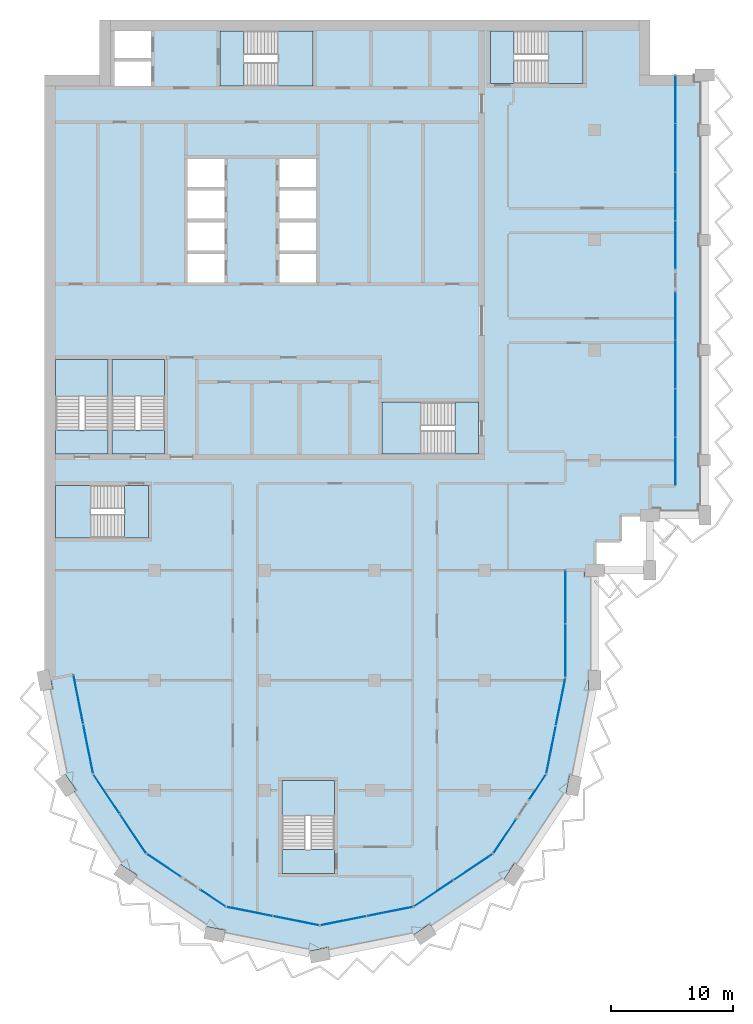
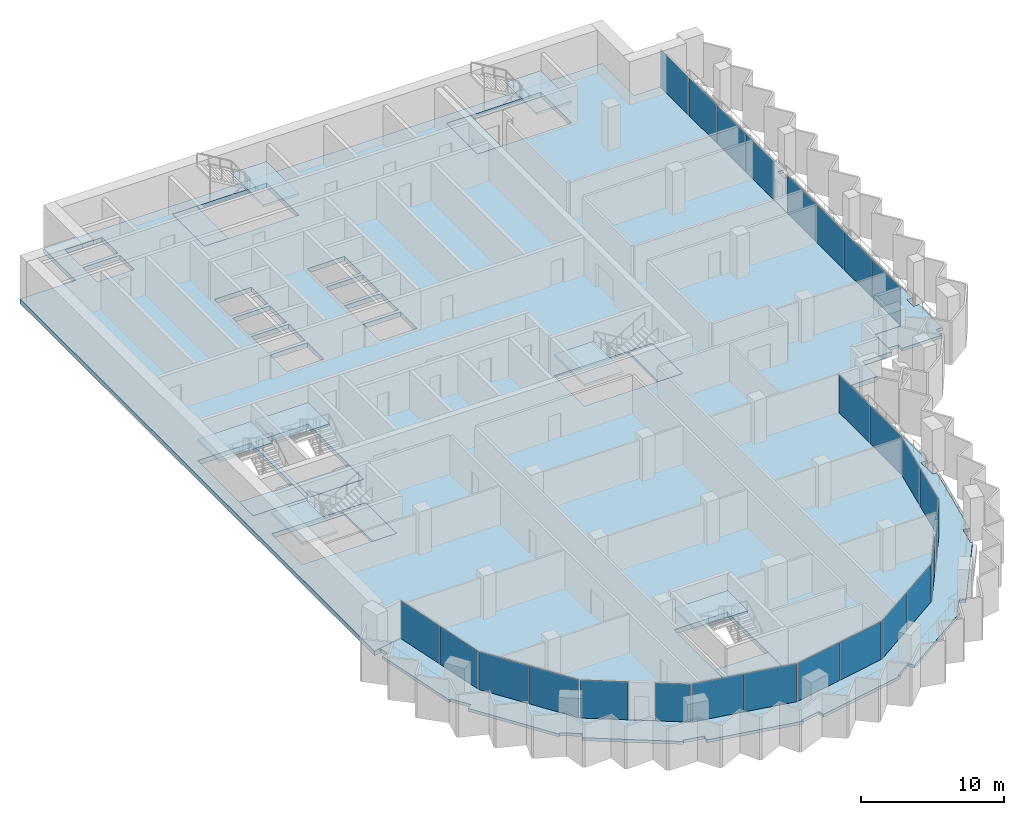
# One storey, part 6 of 16: 26 plates, 17 slabs, 20 elements without a shape of their own.
"""IFC4 building model written with IfcOpenShell, lengths in metres."""

from ifc_helpers import new_model, si_unit, direction, frame, origin, origin_2d, place, context, subcontext, project, spatial, polyline, rectangle, outline, extrude, material, layer, layer_set, type_object, element, aggregate, save


model = new_model("IFC4")

# Units and contexts
model_context = context("Model", 3, precision=1e-05, world=origin(), true_north=direction((0.0, 1.0)))
body_context = subcontext(model_context, "Body", "Model", "MODEL_VIEW")
ifc_project = project(units=[si_unit("LENGTHUNIT", "METRE"), si_unit("AREAUNIT", "SQUARE_METRE"), si_unit("VOLUMEUNIT", "CUBIC_METRE"), si_unit("PLANEANGLEUNIT", "RADIAN"), si_unit("MASSUNIT", "GRAM", prefix="KILO")], contexts=[model_context])

# Site, building, storey
site_placement = place(None, origin())
site = spatial("IfcSite", under=ifc_project, at=site_placement, CompositionType="ELEMENT")
building_placement = place(site_placement, origin())
building = spatial("IfcBuilding", under=site, at=building_placement, Name="Hunhe Ridgeline Campus", CompositionType="ELEMENT")
storey_placement = place(building_placement, frame((0.0, 0.0, 246.60009765625)))
storey = spatial("IfcBuildingStorey", under=building, at=storey_placement, Name="L63", CompositionType="ELEMENT", Elevation=246.60009765625)

# Curtain wall, plates
ifc_material_1 = material(Name="Aluminium 6063", Category="aluminium")
curtain_wall_type_1 = type_object("IfcCurtainWallType", Name="Curtain wall CW-5", PredefinedType="NOTDEFINED", material=ifc_material_1)
curtain_wall_1_placement = place(storey_placement, origin())
curtain_wall_1 = element("IfcCurtainWall", 1, at=curtain_wall_1_placement, inside=storey, type_object=curtain_wall_type_1, Name="Curtain wall 01", PredefinedType="NOTDEFINED")
ifc_material_2 = material(Name="Low-e laminated glass", Category="glass")
ifc_layer_1 = layer(ifc_material_2, 0.028076171875)
ifc_layer_set_1 = layer_set([ifc_layer_1], Name="Curtain wall glass panel 28 low-e laminated")
plate_type = type_object("IfcPlateType", Name="Curtain wall glass panel 28 low-e laminated", PredefinedType="CURTAIN_PANEL", material=ifc_layer_set_1)
plate_1_placement = place(storey_placement, frame((2.76318359375, 43.416015625, 0.0), z_axis=(0.0, 0.0, 1.0), x_axis=(0.195095347137, -0.980784280831, 0.0)))
plate_1 = element("IfcPlate", 2, at=plate_1_placement, type_object=plate_type, Name="CW-5 panel 1", PredefinedType="CURTAIN_PANEL", context=body_context, shape_type="SweptSolid", body=[
    extrude(rectangle(XDim=4.0458984375, YDim=0.028076171875, at=origin_2d()), origin(), (0.0, 0.0, 1.0), 3.22998046875),
])
plate_2_placement = place(storey_placement, frame((3.566162109375, 39.379150390625, 0.0), z_axis=(0.0, 0.0, 1.0), x_axis=(0.195095347137, -0.980784280831, 0.0)))
plate_2 = element("IfcPlate", 3, at=plate_2_placement, type_object=plate_type, Name="CW-5 panel 2", PredefinedType="CURTAIN_PANEL", context=body_context, shape_type="SweptSolid", body=[
    extrude(rectangle(XDim=4.0458984375, YDim=0.028076171875, at=origin_2d()), origin(), (0.0, 0.0, 1.0), 3.22998046875),
])
aggregate(curtain_wall_1, [plate_1, plate_2])

curtain_wall_2_placement = place(storey_placement, origin())
curtain_wall_2 = element("IfcCurtainWall", 4, at=curtain_wall_2_placement, inside=storey, type_object=curtain_wall_type_1, Name="Curtain wall 02", PredefinedType="NOTDEFINED")
plate_3_placement = place(storey_placement, frame((5.07080078125, 35.685546875, 0.0), z_axis=(0.0, 0.0, 1.0), x_axis=(0.555570274596, -0.831469584522, 0.0)))
plate_3 = element("IfcPlate", 5, at=plate_3_placement, type_object=plate_type, Name="CW-5 panel 1", PredefinedType="CURTAIN_PANEL", context=body_context, shape_type="SweptSolid", body=[
    extrude(rectangle(XDim=3.806884765625, YDim=0.028076171875, at=origin_2d()), origin(), (0.0, 0.0, 1.0), 3.22998046875),
])
plate_4_placement = place(storey_placement, frame((7.224609375, 32.4619140625, 0.0), z_axis=(0.0, 0.0, 1.0), x_axis=(0.555570274596, -0.831469584522, 0.0)))
plate_4 = element("IfcPlate", 6, at=plate_4_placement, type_object=plate_type, Name="CW-5 panel 2", PredefinedType="CURTAIN_PANEL", context=body_context, shape_type="SweptSolid", body=[
    extrude(rectangle(XDim=3.806884765625, YDim=0.028076171875, at=origin_2d()), origin(), (0.0, 0.0, 1.0), 3.22998046875),
])
aggregate(curtain_wall_2, [plate_3, plate_4])

# Curtain wall, plate
curtain_wall_3_placement = place(storey_placement, origin())
curtain_wall_3 = element("IfcCurtainWall", 7, at=curtain_wall_3_placement, inside=storey, type_object=curtain_wall_type_1, Name="Curtain wall 03", PredefinedType="NOTDEFINED")
plate_5_placement = place(storey_placement, frame((9.76025390625, 29.859375, 0.0), z_axis=(0.0, 0.0, 1.0), x_axis=(0.831469595944, -0.555570257501, 0.0)))
plate_5 = element("IfcPlate", 8, at=plate_5_placement, type_object=plate_type, Name="CW-5 panel 1", PredefinedType="CURTAIN_PANEL", context=body_context, shape_type="SweptSolid", body=[
    extrude(rectangle(XDim=3.322021484375, YDim=0.028076171875, at=origin_2d()), origin(), (0.0, 0.0, 1.0), 3.22998046875),
])
aggregate(curtain_wall_3, [plate_5])

curtain_wall_4_placement = place(storey_placement, origin())
curtain_wall_4 = element("IfcCurtainWall", 9, at=curtain_wall_4_placement, inside=storey, type_object=curtain_wall_type_1, Name="Curtain wall 04", PredefinedType="NOTDEFINED")
plate_6_placement = place(storey_placement, frame((13.761474609375, 27.18603515625, 0.0), z_axis=(0.0, 0.0, 1.0), x_axis=(0.831469510353, -0.555570385598, 0.0)))
plate_6 = element("IfcPlate", 10, at=plate_6_placement, type_object=plate_type, Name="CW-5 panel 1", PredefinedType="CURTAIN_PANEL", context=body_context, shape_type="SweptSolid", body=[
    extrude(rectangle(XDim=2.421875, YDim=0.028076171875, at=origin_2d()), origin(), (0.0, 0.0, 1.0), 3.22998046875),
])
aggregate(curtain_wall_4, [plate_6])

# Curtain wall, plates
curtain_wall_5_placement = place(storey_placement, origin())
curtain_wall_5 = element("IfcCurtainWall", 11, at=curtain_wall_5_placement, inside=storey, type_object=curtain_wall_type_1, Name="Curtain wall 05", PredefinedType="NOTDEFINED")
plate_7_placement = place(storey_placement, frame((16.761962890625, 26.08935546875, 0.0), z_axis=(0.0, 0.0, 1.0), x_axis=(0.980785275326, -0.195090347539, 0.0)))
plate_7 = element("IfcPlate", 12, at=plate_7_placement, type_object=plate_type, Name="CW-5 panel 1", PredefinedType="CURTAIN_PANEL", context=body_context, shape_type="SweptSolid", body=[
    extrude(rectangle(XDim=3.806884765625, YDim=0.028076171875, at=origin_2d()), origin(), (0.0, 0.0, 1.0), 3.22998046875),
])
plate_8_placement = place(storey_placement, frame((20.564453125, 25.3330078125, 0.0), z_axis=(0.0, 0.0, 1.0), x_axis=(0.980785275326, -0.195090347539, 0.0)))
plate_8 = element("IfcPlate", 13, at=plate_8_placement, type_object=plate_type, Name="CW-5 panel 2", PredefinedType="CURTAIN_PANEL", context=body_context, shape_type="SweptSolid", body=[
    extrude(rectangle(XDim=3.806884765625, YDim=0.028076171875, at=origin_2d()), origin(), (0.0, 0.0, 1.0), 3.22998046875),
])
aggregate(curtain_wall_5, [plate_7, plate_8])

curtain_wall_6_placement = place(storey_placement, origin())
curtain_wall_6 = element("IfcCurtainWall", 14, at=curtain_wall_6_placement, inside=storey, type_object=curtain_wall_type_1, Name="Curtain wall 06", PredefinedType="NOTDEFINED")
plate_9_placement = place(storey_placement, frame((24.435546875, 25.3330078125, 0.0), z_axis=(0.0, 0.0, 1.0), x_axis=(0.980785275326, 0.195090347539, 0.0)))
plate_9 = element("IfcPlate", 15, at=plate_9_placement, type_object=plate_type, Name="CW-5 panel 1", PredefinedType="CURTAIN_PANEL", context=body_context, shape_type="SweptSolid", body=[
    extrude(rectangle(XDim=3.806884765625, YDim=0.028076171875, at=origin_2d()), origin(), (0.0, 0.0, 1.0), 3.22998046875),
])
plate_10_placement = place(storey_placement, frame((28.238037109375, 26.08935546875, 0.0), z_axis=(0.0, 0.0, 1.0), x_axis=(0.980785275326, 0.195090347539, 0.0)))
plate_10 = element("IfcPlate", 16, at=plate_10_placement, type_object=plate_type, Name="CW-5 panel 2", PredefinedType="CURTAIN_PANEL", context=body_context, shape_type="SweptSolid", body=[
    extrude(rectangle(XDim=3.806884765625, YDim=0.028076171875, at=origin_2d()), origin(), (0.0, 0.0, 1.0), 3.22998046875),
])
aggregate(curtain_wall_6, [plate_9, plate_10])

curtain_wall_7_placement = place(storey_placement, origin())
curtain_wall_7 = element("IfcCurtainWall", 17, at=curtain_wall_7_placement, inside=storey, type_object=curtain_wall_type_1, Name="Curtain wall 07", PredefinedType="NOTDEFINED")
plate_11_placement = place(storey_placement, frame((31.814453125, 27.57080078125, 0.0), z_axis=(0.0, 0.0, 1.0), x_axis=(0.831469584522, 0.555570274596, 0.0)))
plate_11 = element("IfcPlate", 18, at=plate_11_placement, type_object=plate_type, Name="CW-5 panel 1", PredefinedType="CURTAIN_PANEL", context=body_context, shape_type="SweptSolid", body=[
    extrude(rectangle(XDim=3.806884765625, YDim=0.028076171875, at=origin_2d()), origin(), (0.0, 0.0, 1.0), 3.22998046875),
])
plate_12_placement = place(storey_placement, frame((35.0380859375, 29.724609375, 0.0), z_axis=(0.0, 0.0, 1.0), x_axis=(0.831469584522, 0.555570274596, 0.0)))
plate_12 = element("IfcPlate", 19, at=plate_12_placement, type_object=plate_type, Name="CW-5 panel 2", PredefinedType="CURTAIN_PANEL", context=body_context, shape_type="SweptSolid", body=[
    extrude(rectangle(XDim=3.806884765625, YDim=0.028076171875, at=origin_2d()), origin(), (0.0, 0.0, 1.0), 3.22998046875),
])
aggregate(curtain_wall_7, [plate_11, plate_12])

# Curtain wall, plate
curtain_wall_8_placement = place(storey_placement, origin())
curtain_wall_8 = element("IfcCurtainWall", 20, at=curtain_wall_8_placement, inside=storey, type_object=curtain_wall_type_1, Name="Curtain wall 08", PredefinedType="NOTDEFINED")
plate_13_placement = place(storey_placement, frame((37.640625, 32.26025390625, 0.0), z_axis=(0.0, 0.0, 1.0), x_axis=(0.555570257501, 0.831469595944, 0.0)))
plate_13 = element("IfcPlate", 21, at=plate_13_placement, type_object=plate_type, Name="CW-5 panel 1", PredefinedType="CURTAIN_PANEL", context=body_context, shape_type="SweptSolid", body=[
    extrude(rectangle(XDim=3.322021484375, YDim=0.028076171875, at=origin_2d()), origin(), (0.0, 0.0, 1.0), 3.22998046875),
])
aggregate(curtain_wall_8, [plate_13])

curtain_wall_9_placement = place(storey_placement, origin())
curtain_wall_9 = element("IfcCurtainWall", 22, at=curtain_wall_9_placement, inside=storey, type_object=curtain_wall_type_1, Name="Curtain wall 09", PredefinedType="NOTDEFINED")
plate_14_placement = place(storey_placement, frame((40.31396484375, 36.261474609375, 0.0), z_axis=(0.0, 0.0, 1.0), x_axis=(0.555570385598, 0.831469510353, 0.0)))
plate_14 = element("IfcPlate", 23, at=plate_14_placement, type_object=plate_type, Name="CW-5 panel 1", PredefinedType="CURTAIN_PANEL", context=body_context, shape_type="SweptSolid", body=[
    extrude(rectangle(XDim=2.421875, YDim=0.028076171875, at=origin_2d()), origin(), (0.0, 0.0, 1.0), 3.22998046875),
])
aggregate(curtain_wall_9, [plate_14])

# Curtain wall, plates
curtain_wall_10_placement = place(storey_placement, origin())
curtain_wall_10 = element("IfcCurtainWall", 24, at=curtain_wall_10_placement, inside=storey, type_object=curtain_wall_type_1, Name="Curtain wall 10", PredefinedType="NOTDEFINED")
plate_15_placement = place(storey_placement, frame((41.42236328125, 39.321044921875, 0.0), z_axis=(0.0, 0.0, 1.0), x_axis=(0.195090299215, 0.980785284939, 0.0)))
plate_15 = element("IfcPlate", 25, at=plate_15_placement, type_object=plate_type, Name="CW-5 panel 1", PredefinedType="CURTAIN_PANEL", context=body_context, shape_type="SweptSolid", body=[
    extrude(rectangle(XDim=3.927490234375, YDim=0.028076171875, at=origin_2d()), origin(), (0.0, 0.0, 1.0), 3.22998046875),
])
plate_16_placement = place(storey_placement, frame((42.2021484375, 43.24169921875, 0.0), z_axis=(0.0, 0.0, 1.0), x_axis=(0.195090299215, 0.980785284939, 0.0)))
plate_16 = element("IfcPlate", 26, at=plate_16_placement, type_object=plate_type, Name="CW-5 panel 2", PredefinedType="CURTAIN_PANEL", context=body_context, shape_type="SweptSolid", body=[
    extrude(rectangle(XDim=3.927490234375, YDim=0.028076171875, at=origin_2d()), origin(), (0.0, 0.0, 1.0), 3.22998046875),
])
aggregate(curtain_wall_10, [plate_15, plate_16])

curtain_wall_type_2 = type_object("IfcCurtainWallType", Name="Curtain wall CW-1", PredefinedType="NOTDEFINED", material=ifc_material_1)
curtain_wall_11_placement = place(storey_placement, origin())
curtain_wall_11 = element("IfcCurtainWall", 27, at=curtain_wall_11_placement, inside=storey, type_object=curtain_wall_type_2, Name="Curtain wall 11", PredefinedType="NOTDEFINED")
plate_17_placement = place(storey_placement, frame((42.59912109375, 47.4423828125, 0.0), z_axis=(0.0, 0.0, 1.0), x_axis=(1.9283253e-05, 0.999999999814, 0.0)))
plate_17 = element("IfcPlate", 28, at=plate_17_placement, type_object=plate_type, Name="CW-1 panel 1", PredefinedType="CURTAIN_PANEL", context=body_context, shape_type="SweptSolid", body=[
    extrude(rectangle(XDim=4.2919921875, YDim=0.028076171875, at=origin_2d()), origin(), (0.0, 0.0, 1.0), 3.239990234375),
])
plate_18_placement = place(storey_placement, frame((42.59912109375, 51.79443359375, 0.0), z_axis=(0.0, 0.0, 1.0), x_axis=(1.9283253e-05, 0.999999999814, 0.0)))
plate_18 = element("IfcPlate", 29, at=plate_18_placement, type_object=plate_type, Name="CW-1 panel 2", PredefinedType="CURTAIN_PANEL", context=body_context, shape_type="SweptSolid", body=[
    extrude(rectangle(XDim=4.2919921875, YDim=0.028076171875, at=origin_2d()), origin(), (0.0, 0.0, 1.0), 3.239990234375),
])
aggregate(curtain_wall_11, [plate_17, plate_18])

curtain_wall_12_placement = place(storey_placement, origin())
curtain_wall_12 = element("IfcCurtainWall", 30, at=curtain_wall_12_placement, inside=storey, type_object=curtain_wall_type_2, Name="Curtain wall 12", PredefinedType="NOTDEFINED")
plate_19_placement = place(storey_placement, frame((51.59912109375, 62.9033203125, 0.0), z_axis=(0.0, 0.0, 1.0), x_axis=(0.0, 1.0, 0.0)))
plate_19 = element("IfcPlate", 31, at=plate_19_placement, type_object=plate_type, Name="CW-1 panel 1", PredefinedType="CURTAIN_PANEL", context=body_context, shape_type="SweptSolid", body=[
    extrude(rectangle(XDim=3.884765625, YDim=0.028076171875, at=origin_2d()), origin(), (0.0, 0.0, 1.0), 3.239990234375),
])
plate_20_placement = place(storey_placement, frame((51.59912109375, 66.86328125, 0.0), z_axis=(0.0, 0.0, 1.0), x_axis=(0.0, 1.0, 0.0)))
plate_20 = element("IfcPlate", 32, at=plate_20_placement, type_object=plate_type, Name="CW-1 panel 2", PredefinedType="CURTAIN_PANEL", context=body_context, shape_type="SweptSolid", body=[
    extrude(rectangle(XDim=3.914794921875, YDim=0.028076171875, at=origin_2d()), origin(), (0.0, 0.0, 1.0), 3.239990234375),
])
plate_21_placement = place(storey_placement, frame((51.59912109375, 70.838134765625, 0.0), z_axis=(0.0, 0.0, 1.0), x_axis=(0.0, 1.0, 0.0)))
plate_21 = element("IfcPlate", 33, at=plate_21_placement, type_object=plate_type, Name="CW-1 panel 3", PredefinedType="CURTAIN_PANEL", context=body_context, shape_type="SweptSolid", body=[
    extrude(rectangle(XDim=3.914794921875, YDim=0.028076171875, at=origin_2d()), origin(), (0.0, 0.0, 1.0), 3.239990234375),
])
plate_22_placement = place(storey_placement, frame((51.59912109375, 74.798095703125, 0.0), z_axis=(0.0, 0.0, 1.0), x_axis=(0.0, 1.0, 0.0)))
plate_22 = element("IfcPlate", 34, at=plate_22_placement, type_object=plate_type, Name="CW-1 panel 4", PredefinedType="CURTAIN_PANEL", context=body_context, shape_type="SweptSolid", body=[
    extrude(rectangle(XDim=3.884765625, YDim=0.028076171875, at=origin_2d()), origin(), (0.0, 0.0, 1.0), 3.239990234375),
])
aggregate(curtain_wall_12, [plate_19, plate_20, plate_21, plate_22])

curtain_wall_13_placement = place(storey_placement, origin())
curtain_wall_13 = element("IfcCurtainWall", 35, at=curtain_wall_13_placement, inside=storey, type_object=curtain_wall_type_2, Name="Curtain wall 13", PredefinedType="NOTDEFINED")
plate_23_placement = place(storey_placement, frame((51.59912109375, 80.60302734375, 0.0), z_axis=(0.0, 0.0, 1.0), x_axis=(0.0, 1.0, 0.0)))
plate_23 = element("IfcPlate", 36, at=plate_23_placement, type_object=plate_type, Name="CW-1 panel 1", PredefinedType="CURTAIN_PANEL", context=body_context, shape_type="SweptSolid", body=[
    extrude(rectangle(XDim=3.884765625, YDim=0.028076171875, at=origin_2d()), origin(), (0.0, 0.0, 1.0), 3.239990234375),
])
plate_24_placement = place(storey_placement, frame((51.59912109375, 84.562744140625, 0.0), z_axis=(0.0, 0.0, 1.0), x_axis=(0.0, 1.0, 0.0)))
plate_24 = element("IfcPlate", 37, at=plate_24_placement, type_object=plate_type, Name="CW-1 panel 2", PredefinedType="CURTAIN_PANEL", context=body_context, shape_type="SweptSolid", body=[
    extrude(rectangle(XDim=3.914794921875, YDim=0.028076171875, at=origin_2d()), origin(), (0.0, 0.0, 1.0), 3.239990234375),
])
plate_25_placement = place(storey_placement, frame((51.59912109375, 88.53759765625, 0.0), z_axis=(0.0, 0.0, 1.0), x_axis=(0.0, 1.0, 0.0)))
plate_25 = element("IfcPlate", 38, at=plate_25_placement, type_object=plate_type, Name="CW-1 panel 3", PredefinedType="CURTAIN_PANEL", context=body_context, shape_type="SweptSolid", body=[
    extrude(rectangle(XDim=3.914794921875, YDim=0.028076171875, at=origin_2d()), origin(), (0.0, 0.0, 1.0), 3.239990234375),
])
plate_26_placement = place(storey_placement, frame((51.59912109375, 92.49755859375, 0.0), z_axis=(0.0, 0.0, 1.0), x_axis=(0.0, 1.0, 0.0)))
plate_26 = element("IfcPlate", 39, at=plate_26_placement, type_object=plate_type, Name="CW-1 panel 4", PredefinedType="CURTAIN_PANEL", context=body_context, shape_type="SweptSolid", body=[
    extrude(rectangle(XDim=3.884765625, YDim=0.028076171875, at=origin_2d()), origin(), (0.0, 0.0, 1.0), 3.239990234375),
])
aggregate(curtain_wall_13, [plate_23, plate_24, plate_25, plate_26])

# Slabs
ifc_material_3 = material(Name="Concrete C40", Category="concrete")
ifc_layer_2 = layer(ifc_material_3, 0.39990234375)
ifc_layer_set_2 = layer_set([ifc_layer_2], Name="Floor slab 400 Concrete C40")
slab_type_1 = type_object("IfcSlabType", Name="Floor slab 400 Concrete C40", PredefinedType="FLOOR", material=ifc_layer_set_2)
slab_1_placement = place(storey_placement, frame((0.0, 0.0, -0.400146484375)))
element("IfcSlab", 40, at=slab_1_placement, inside=storey, type_object=slab_type_1, Name="Floor slab L63 1", PredefinedType="FLOOR", context=body_context, shape_type="SweptSolid", body=[
    extrude(outline(polyline([(36.678955078125, 30.821044921875), (41.025634765625, 37.326416015625), (42.59912109375, 45.236572265625), (42.59912109375, 54.00048828125), (44.9990234375, 54.0009765625), (44.999267578125, 56.400634765625), (47.09912109375, 56.40087890625), (47.099609375, 58.5009765625), (49.4990234375, 58.5009765625), (49.49951171875, 60.90087890625), (51.59912109375, 60.90087890625), (51.59912109375, 94.5), (49.5, 94.5), (49.5, 99.0), (4.5, 99.0), (4.5, 94.5), (0.0, 94.5), (0.0, 45.0009765625), (2.354736328125, 45.46875), (3.974365234375, 37.326416015625), (8.321044921875, 30.821044921875), (14.826416015625, 26.474365234375), (22.5, 24.947998046875), (30.173583984375, 26.474365234375), (36.678955078125, 30.821044921875)]), holes=[polyline([(36.449951171875, 98.10009765625), (36.449951171875, 93.800048828125), (44.050048828125, 93.800048828125), (44.050048828125, 98.10009765625), (36.449951171875, 98.10009765625)]), polyline([(27.60009765625, 63.5), (35.5, 63.5), (35.5, 67.75), (27.60009765625, 67.75), (27.60009765625, 63.5)]), polyline([(19.39990234375, 36.800048828125), (19.39990234375, 29.199951171875), (23.699951171875, 29.199951171875), (23.699951171875, 36.800048828125), (19.39990234375, 36.800048828125)]), polyline([(22.199951171875, 87.64990234375), (19.199951171875, 87.64990234375), (19.199951171875, 85.35009765625), (22.199951171875, 85.35009765625), (22.199951171875, 87.64990234375)]), polyline([(22.199951171875, 77.550048828125), (22.199951171875, 79.85009765625), (19.199951171875, 79.85009765625), (19.199951171875, 77.550048828125), (22.199951171875, 77.550048828125)]), polyline([(19.199951171875, 85.050048828125), (19.199951171875, 82.75), (22.199951171875, 82.75), (22.199951171875, 85.050048828125), (19.199951171875, 85.050048828125)]), polyline([(19.199951171875, 80.14990234375), (22.199951171875, 80.14990234375), (22.199951171875, 82.449951171875), (19.199951171875, 82.449951171875), (19.199951171875, 80.14990234375)]), polyline([(14.35009765625, 98.10009765625), (14.35009765625, 93.60009765625), (21.949951171875, 93.60009765625), (21.949951171875, 98.10009765625), (14.35009765625, 98.10009765625)]), polyline([(14.699951171875, 87.64990234375), (11.699951171875, 87.64990234375), (11.699951171875, 85.35009765625), (14.699951171875, 85.35009765625), (14.699951171875, 87.64990234375)]), polyline([(14.699951171875, 77.550048828125), (14.699951171875, 79.85009765625), (11.699951171875, 79.85009765625), (11.699951171875, 77.550048828125), (14.699951171875, 77.550048828125)]), polyline([(11.699951171875, 85.050048828125), (11.699951171875, 82.75), (14.699951171875, 82.75), (14.699951171875, 85.050048828125), (11.699951171875, 85.050048828125)]), polyline([(11.699951171875, 80.14990234375), (14.699951171875, 80.14990234375), (14.699951171875, 82.449951171875), (11.699951171875, 82.449951171875), (11.699951171875, 80.14990234375)]), polyline([(9.800048828125, 63.5), (9.800048828125, 71.25), (5.5, 71.25), (5.5, 63.5), (9.800048828125, 63.5)]), polyline([(8.699951171875, 93.60009765625), (8.699951171875, 95.60009765625), (5.699951171875, 95.60009765625), (5.699951171875, 93.60009765625), (8.699951171875, 93.60009765625)]), polyline([(5.699951171875, 95.89990234375), (8.699951171875, 95.89990234375), (8.699951171875, 98.10009765625), (5.699951171875, 98.10009765625), (5.699951171875, 95.89990234375)]), polyline([(0.89990234375, 60.949951171875), (0.89990234375, 56.64990234375), (8.5, 56.64990234375), (8.5, 60.949951171875), (0.89990234375, 60.949951171875)]), polyline([(5.199951171875, 71.25), (0.89990234375, 71.25), (0.89990234375, 63.5), (5.199951171875, 63.5), (5.199951171875, 71.25)])]), origin(), (0.0, 0.0, 1.0), 0.400146484375),
])
ifc_layer_3 = layer(ifc_material_3, 0.25)
ifc_layer_set_3 = layer_set([ifc_layer_3], Name="Loggia slab 250 Concrete C40")
slab_type_2 = type_object("IfcSlabType", Name="Loggia slab 250 Concrete C40", PredefinedType="FLOOR", material=ifc_layer_set_3)
slab_2_placement = place(storey_placement, frame((0.0, 0.0, -0.25)))
element("IfcSlab", 41, at=slab_2_placement, inside=storey, type_object=slab_type_2, Name="Loggia slab 1", PredefinedType="FLOOR", context=body_context, shape_type="SweptSolid", body=[
    extrude(outline(polyline([(30.173828125, 26.473388671875), (22.5, 24.947021484375), (14.826171875, 26.473388671875), (8.3203125, 30.8203125), (3.973388671875, 37.326171875), (2.35400390625, 45.46826171875), (0.490478515625, 45.09765625), (0.646484375, 44.31298828125), (0.156005859375, 44.21533203125), (1.543701171875, 37.239013671875), (1.68408203125, 37.33251953125), (2.572998046875, 36.002197265625), (2.1572265625, 35.724365234375), (6.109130859375, 29.81005859375), (6.20263671875, 29.9501953125), (7.532958984375, 29.061279296875), (7.25537109375, 28.645751953125), (13.169677734375, 24.69384765625), (13.20263671875, 24.859130859375), (14.771728515625, 24.547119140625), (14.67431640625, 24.056640625), (21.650634765625, 22.6689453125), (21.617919921875, 22.834228515625), (23.18701171875, 23.146484375), (23.28466796875, 22.656005859375), (30.260986328125, 24.043701171875), (30.16748046875, 24.18408203125), (31.497802734375, 25.072998046875), (31.775634765625, 24.6572265625), (37.68994140625, 28.609130859375), (37.5498046875, 28.70263671875), (38.438720703125, 30.032958984375), (38.854248046875, 29.75537109375), (42.80615234375, 35.669677734375), (42.640869140625, 35.70263671875), (42.952880859375, 37.271728515625), (43.443359375, 37.17431640625), (44.8408203125, 44.199951171875), (44.5, 44.199951171875), (44.5, 45.800048828125), (45.0, 45.800048828125), (45.0, 53.5), (44.199951171875, 53.5), (44.199951171875, 54.0), (42.60009765625, 54.0), (42.60009765625, 45.236328125), (41.026611328125, 37.326171875), (36.6796875, 30.8203125), (30.173828125, 26.473388671875)])), origin(), (0.0, 0.0, 1.0), 0.25),
])
slab_3_placement = place(storey_placement, frame((0.0, 0.0, -0.25)))
element("IfcSlab", 42, at=slab_3_placement, inside=storey, type_object=slab_type_2, Name="Loggia slab 2", PredefinedType="FLOOR", context=body_context, shape_type="SweptSolid", body=[
    extrude(outline(polyline([(49.5, 59.0), (50.300048828125, 59.0), (50.300048828125, 58.5), (53.5, 58.5), (53.5, 59.300048828125), (54.0, 59.300048828125), (54.0, 62.550048828125), (53.550048828125, 62.550048828125), (53.550048828125, 63.449951171875), (54.0, 63.449951171875), (54.0, 71.550048828125), (53.550048828125, 71.550048828125), (53.550048828125, 72.449951171875), (54.0, 72.449951171875), (54.0, 80.550048828125), (53.550048828125, 80.550048828125), (53.550048828125, 81.449951171875), (54.0, 81.449951171875), (54.0, 89.550048828125), (53.550048828125, 89.550048828125), (53.550048828125, 90.449951171875), (54.0, 90.449951171875), (54.0, 94.0), (53.199951171875, 94.0), (53.199951171875, 94.5), (51.60009765625, 94.5), (51.60009765625, 60.89990234375), (49.5, 60.89990234375), (49.5, 59.0)])), origin(), (0.0, 0.0, 1.0), 0.25),
])

# Stair, slab
stair_type = type_object("IfcStairType", Name="Reinforced concrete dog-leg stair 1950 Concrete C40", PredefinedType="HALF_TURN_STAIR", material=ifc_material_3)
stair_1_placement = place(storey_placement, origin())
stair_1 = element("IfcStair", 43, at=stair_1_placement, inside=storey, type_object=stair_type, Name="L63 S1", PredefinedType="HALF_TURN_STAIR")
ifc_layer_4 = layer(ifc_material_3, 0.199951171875)
ifc_layer_set_4 = layer_set([ifc_layer_4], Name="Reinforced concrete stair landing 200 Concrete C40")
slab_type_3 = type_object("IfcSlabType", Name="Reinforced concrete stair landing 200 Concrete C40", PredefinedType="LANDING", material=ifc_layer_set_4)
slab_4_placement = place(storey_placement, frame((0.0, 0.0, 1.64990234375)))
slab_4 = element("IfcSlab", 44, at=slab_4_placement, type_object=slab_type_3, Name="ST1 landing 1", PredefinedType="LANDING", context=body_context, shape_type="SweptSolid", body=[
    extrude(outline(polyline([(19.10009765625, 93.60009765625), (21.949951171875, 93.60009765625), (21.949951171875, 98.10009765625), (19.10009765625, 98.10009765625), (19.10009765625, 93.60009765625)])), origin(), (0.0, 0.0, 1.0), 0.199951171875),
])
aggregate(stair_1, [slab_4])

# Slab
slab_5_placement = place(storey_placement, frame((0.0, 0.0, -0.2001953125)))
element("IfcSlab", 45, at=slab_5_placement, inside=storey, type_object=slab_type_3, Name="L63 stair S1 floor landing", PredefinedType="LANDING", context=body_context, shape_type="SweptSolid", body=[
    extrude(outline(polyline([(14.35009765625, 93.60009765625), (16.300048828125, 93.60009765625), (16.300048828125, 98.10009765625), (14.35009765625, 98.10009765625), (14.35009765625, 93.60009765625)])), origin(), (0.0, 0.0, 1.0), 0.2001953125),
])

# Stair, slab
stair_2_placement = place(storey_placement, origin())
stair_2 = element("IfcStair", 46, at=stair_2_placement, inside=storey, type_object=stair_type, Name="L63 S2", PredefinedType="HALF_TURN_STAIR")
slab_6_placement = place(storey_placement, frame((0.0, 0.0, 1.64990234375)))
slab_6 = element("IfcSlab", 47, at=slab_6_placement, type_object=slab_type_3, Name="ST2 landing 1", PredefinedType="LANDING", context=body_context, shape_type="SweptSolid", body=[
    extrude(outline(polyline([(30.75, 67.75), (27.60009765625, 67.75), (27.60009765625, 63.5), (30.75, 63.5), (30.75, 67.75)])), origin(), (0.0, 0.0, 1.0), 0.199951171875),
])
aggregate(stair_2, [slab_6])

# Slab
slab_7_placement = place(storey_placement, frame((0.0, 0.0, -0.2001953125)))
element("IfcSlab", 48, at=slab_7_placement, inside=storey, type_object=slab_type_3, Name="L63 stair S2 floor landing", PredefinedType="LANDING", context=body_context, shape_type="SweptSolid", body=[
    extrude(outline(polyline([(35.5, 67.75), (33.550048828125, 67.75), (33.550048828125, 63.5), (35.5, 63.5), (35.5, 67.75)])), origin(), (0.0, 0.0, 1.0), 0.2001953125),
])

# Stair, slab
stair_3_placement = place(storey_placement, origin())
stair_3 = element("IfcStair", 49, at=stair_3_placement, inside=storey, type_object=stair_type, Name="L63 S3", PredefinedType="HALF_TURN_STAIR")
slab_8_placement = place(storey_placement, frame((0.0, 0.0, 1.64990234375)))
slab_8 = element("IfcSlab", 50, at=slab_8_placement, type_object=slab_type_3, Name="ST3 landing 1", PredefinedType="LANDING", context=body_context, shape_type="SweptSolid", body=[
    extrude(outline(polyline([(5.199951171875, 68.25), (5.199951171875, 71.25), (0.89990234375, 71.25), (0.89990234375, 68.25), (5.199951171875, 68.25)])), origin(), (0.0, 0.0, 1.0), 0.199951171875),
])
aggregate(stair_3, [slab_8])

# Slab
slab_9_placement = place(storey_placement, frame((0.0, 0.0, -0.2001953125)))
element("IfcSlab", 51, at=slab_9_placement, inside=storey, type_object=slab_type_3, Name="L63 stair S3 floor landing", PredefinedType="LANDING", context=body_context, shape_type="SweptSolid", body=[
    extrude(outline(polyline([(5.199951171875, 63.5), (5.199951171875, 65.449951171875), (0.89990234375, 65.449951171875), (0.89990234375, 63.5), (5.199951171875, 63.5)])), origin(), (0.0, 0.0, 1.0), 0.2001953125),
])

# Stair, slab
stair_4_placement = place(storey_placement, origin())
stair_4 = element("IfcStair", 52, at=stair_4_placement, inside=storey, type_object=stair_type, Name="L63 S4", PredefinedType="HALF_TURN_STAIR")
slab_10_placement = place(storey_placement, frame((0.0, 0.0, 1.64990234375)))
slab_10 = element("IfcSlab", 53, at=slab_10_placement, type_object=slab_type_3, Name="ST4 landing 1", PredefinedType="LANDING", context=body_context, shape_type="SweptSolid", body=[
    extrude(outline(polyline([(9.800048828125, 68.25), (9.800048828125, 71.25), (5.5, 71.25), (5.5, 68.25), (9.800048828125, 68.25)])), origin(), (0.0, 0.0, 1.0), 0.199951171875),
])
aggregate(stair_4, [slab_10])

# Slab
slab_11_placement = place(storey_placement, frame((0.0, 0.0, -0.2001953125)))
element("IfcSlab", 54, at=slab_11_placement, inside=storey, type_object=slab_type_3, Name="L63 stair S4 floor landing", PredefinedType="LANDING", context=body_context, shape_type="SweptSolid", body=[
    extrude(outline(polyline([(9.800048828125, 63.5), (9.800048828125, 65.449951171875), (5.5, 65.449951171875), (5.5, 63.5), (9.800048828125, 63.5)])), origin(), (0.0, 0.0, 1.0), 0.2001953125),
])

# Stair, slab
stair_5_placement = place(storey_placement, origin())
stair_5 = element("IfcStair", 55, at=stair_5_placement, inside=storey, type_object=stair_type, Name="L63 E1", PredefinedType="HALF_TURN_STAIR")
slab_12_placement = place(storey_placement, frame((0.0, 0.0, 1.64990234375)))
slab_12 = element("IfcSlab", 56, at=slab_12_placement, type_object=slab_type_3, Name="ST5 landing 1", PredefinedType="LANDING", context=body_context, shape_type="SweptSolid", body=[
    extrude(outline(polyline([(41.199951171875, 93.800048828125), (44.050048828125, 93.800048828125), (44.050048828125, 98.10009765625), (41.199951171875, 98.10009765625), (41.199951171875, 93.800048828125)])), origin(), (0.0, 0.0, 1.0), 0.199951171875),
])
aggregate(stair_5, [slab_12])

# Slab
slab_13_placement = place(storey_placement, frame((0.0, 0.0, -0.2001953125)))
element("IfcSlab", 57, at=slab_13_placement, inside=storey, type_object=slab_type_3, Name="L63 stair E1 floor landing", PredefinedType="LANDING", context=body_context, shape_type="SweptSolid", body=[
    extrude(outline(polyline([(36.449951171875, 93.800048828125), (38.39990234375, 93.800048828125), (38.39990234375, 98.10009765625), (36.449951171875, 98.10009765625), (36.449951171875, 93.800048828125)])), origin(), (0.0, 0.0, 1.0), 0.2001953125),
])

# Stair, slab
stair_6_placement = place(storey_placement, origin())
stair_6 = element("IfcStair", 58, at=stair_6_placement, inside=storey, type_object=stair_type, Name="L63 W3", PredefinedType="HALF_TURN_STAIR")
slab_14_placement = place(storey_placement, frame((0.0, 0.0, 1.64990234375)))
slab_14 = element("IfcSlab", 59, at=slab_14_placement, type_object=slab_type_3, Name="ST9 landing 1", PredefinedType="LANDING", context=body_context, shape_type="SweptSolid", body=[
    extrude(outline(polyline([(23.699951171875, 33.949951171875), (23.699951171875, 36.800048828125), (19.39990234375, 36.800048828125), (19.39990234375, 33.949951171875), (23.699951171875, 33.949951171875)])), origin(), (0.0, 0.0, 1.0), 0.199951171875),
])
aggregate(stair_6, [slab_14])

# Slab
slab_15_placement = place(storey_placement, frame((0.0, 0.0, -0.2001953125)))
element("IfcSlab", 60, at=slab_15_placement, inside=storey, type_object=slab_type_3, Name="L63 stair W3 floor landing", PredefinedType="LANDING", context=body_context, shape_type="SweptSolid", body=[
    extrude(outline(polyline([(23.699951171875, 29.199951171875), (23.699951171875, 31.14990234375), (19.39990234375, 31.14990234375), (19.39990234375, 29.199951171875), (23.699951171875, 29.199951171875)])), origin(), (0.0, 0.0, 1.0), 0.2001953125),
])

# Stair, slab
stair_7_placement = place(storey_placement, origin())
stair_7 = element("IfcStair", 61, at=stair_7_placement, inside=storey, type_object=stair_type, Name="L63 W2", PredefinedType="HALF_TURN_STAIR")
slab_16_placement = place(storey_placement, frame((0.0, 0.0, 1.64990234375)))
slab_16 = element("IfcSlab", 62, at=slab_16_placement, type_object=slab_type_3, Name="ST12 landing 1", PredefinedType="LANDING", context=body_context, shape_type="SweptSolid", body=[
    extrude(outline(polyline([(3.75, 60.949951171875), (0.89990234375, 60.949951171875), (0.89990234375, 56.64990234375), (3.75, 56.64990234375), (3.75, 60.949951171875)])), origin(), (0.0, 0.0, 1.0), 0.199951171875),
])
aggregate(stair_7, [slab_16])

# Slab
slab_17_placement = place(storey_placement, frame((0.0, 0.0, -0.2001953125)))
element("IfcSlab", 63, at=slab_17_placement, inside=storey, type_object=slab_type_3, Name="L63 stair W2 floor landing", PredefinedType="LANDING", context=body_context, shape_type="SweptSolid", body=[
    extrude(outline(polyline([(8.5, 60.949951171875), (6.550048828125, 60.949951171875), (6.550048828125, 56.64990234375), (8.5, 56.64990234375), (8.5, 60.949951171875)])), origin(), (0.0, 0.0, 1.0), 0.2001953125),
])

save(model, "model.ifc")
